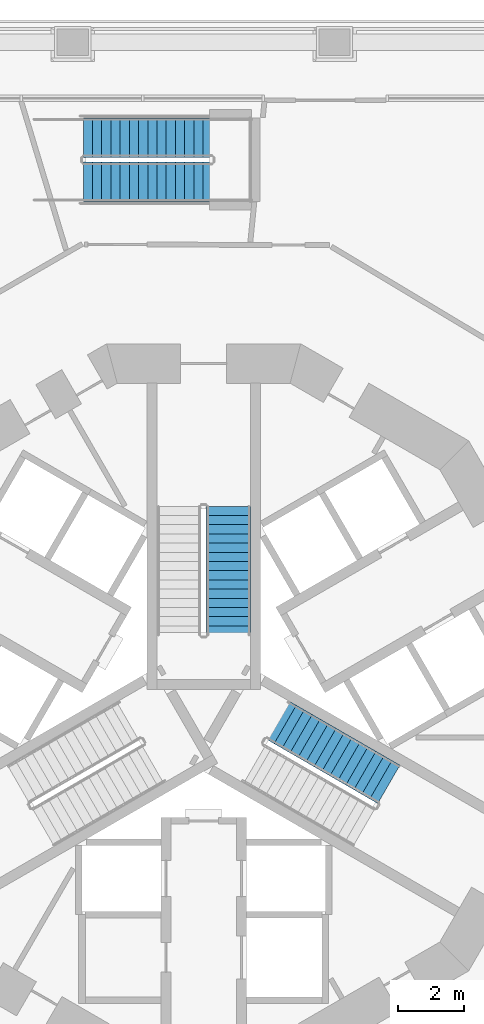
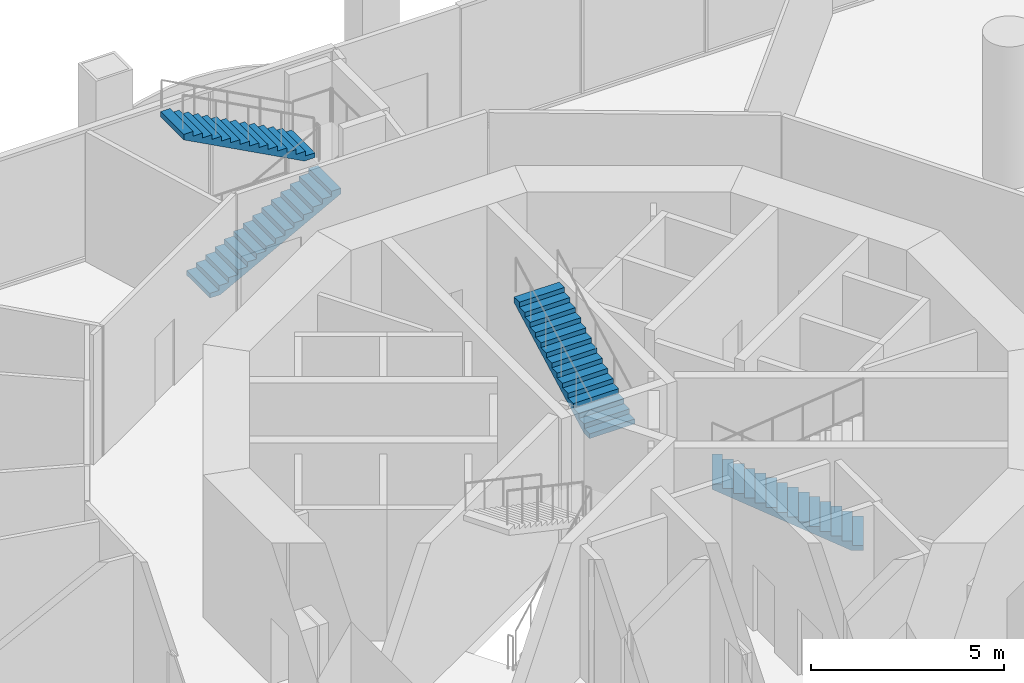
# One storey, part 14 of 22: 4 stair flights, 3 elements without a shape of their own.
"""IFC4 building model written with IfcOpenShell, lengths in metres."""

import ifcopenshell
import ifcopenshell.guid

model = None  # the IFC model being written
_history = None  # IfcOwnerHistory: only IFC2X3 demands one
_inside = {}  # id of a spatial element -> (the spatial element, [elements in it])
_under = {}  # id of a project, library or spatial element -> (it, [spatial elements below it])
_declared = {}  # id of a project -> (the project, [libraries it declares])
_typed = {}  # id of a type object -> (the type object, [elements of that type])
_made_of = {}  # id of a material, layer set ... -> (it, [elements and type objects made of it])


def new_model(schema):
    """Start an empty IFC model of exactly this schema.

    Asked for "IFC4X3", IfcOpenShell would pick the latest addendum, in which some entities
    have other attributes; the version numbers below select the first issue.
    IFC2X3 requires an IfcOwnerHistory on every rooted entity: one is made here for all.
    """
    global model, _history
    if schema == "IFC4X3":
        model = ifcopenshell.file(schema_version=(4, 3, 0, 0))
    else:
        model = ifcopenshell.file(schema=schema)
    _inside.clear()
    _under.clear()
    _declared.clear()
    _typed.clear()
    _made_of.clear()
    _history = None
    if model.schema == "IFC2X3":
        org = make("IfcOrganization", Name="unknown")
        user = make(
            "IfcPersonAndOrganization",
            ThePerson=make("IfcPerson", FamilyName="unknown"),
            TheOrganization=org,
        )
        app = make(
            "IfcApplication",
            ApplicationDeveloper=org,
            Version="unknown",
            ApplicationFullName="unknown",
            ApplicationIdentifier="unknown",
        )
        _history = make(
            "IfcOwnerHistory",
            OwningUser=user,
            OwningApplication=app,
            ChangeAction="ADDED",
            CreationDate=0,
        )
    return model


def make(cls, **values):
    """One entity of the class cls with the attributes given. An attribute that is None is left unset."""
    return model.create_entity(
        cls, **{name: value for name, value in values.items() if value is not None}
    )


def rooted(cls, **values):
    """An entity with a GlobalId (a new one), such as an element, a storey or a relation."""
    return make(cls, GlobalId=ifcopenshell.guid.new(), OwnerHistory=_history, **values)


def si_unit(unit_type, name, prefix=None):
    """IfcSIUnit, for example si_unit("LENGTHUNIT", "METRE", prefix="MILLI")."""
    return make("IfcSIUnit", UnitType=unit_type, Prefix=prefix, Name=name)


def assignment(units):
    """IfcUnitAssignment: the units of a project."""
    return None if units is None else make("IfcUnitAssignment", Units=units)


def point(xyz):
    """IfcCartesianPoint."""
    return None if xyz is None else make("IfcCartesianPoint", Coordinates=xyz)


def direction(xyz):
    """IfcDirection."""
    return None if xyz is None else make("IfcDirection", DirectionRatios=xyz)


def frame(location, z_axis=None, x_axis=None):
    """IfcAxis2Placement3D, a coordinate frame: its origin and axes. An axis left out is left unset."""
    return make(
        "IfcAxis2Placement3D",
        Location=point(location),
        Axis=direction(z_axis),
        RefDirection=direction(x_axis),
    )


def origin():
    """The frame at (0, 0, 0) with its axes left unset."""
    return frame((0.0, 0.0, 0.0))


def place(relative_to, where):
    """IfcLocalPlacement: puts the frame where relative to a parent placement (None: the world)."""
    return make(
        "IfcLocalPlacement", PlacementRelTo=relative_to, RelativePlacement=where
    )


def context(
    kind, dimensions, precision=None, world=None, true_north=None, identifier=None
):
    """IfcGeometricRepresentationContext, for example the 3D "Model" context."""
    return make(
        "IfcGeometricRepresentationContext",
        ContextIdentifier=identifier,
        ContextType=kind,
        CoordinateSpaceDimension=dimensions,
        Precision=precision,
        WorldCoordinateSystem=world,
        TrueNorth=true_north,
    )


def subcontext(parent, identifier, kind, view, scale=None):
    """IfcGeometricRepresentationSubContext, for example "Body" below "Model"."""
    return make(
        "IfcGeometricRepresentationSubContext",
        ContextIdentifier=identifier,
        ContextType=kind,
        ParentContext=parent,
        TargetScale=scale,
        TargetView=view,
    )


def project(units=None, contexts=None):
    """IfcProject with its units and contexts."""
    return rooted(
        "IfcProject",
        Name="project",
        RepresentationContexts=contexts,
        UnitsInContext=assignment(units),
    )


def spatial(cls, under=None, at=None, **own):
    """A site, building, storey or space (cls), placed at a placement, below another one or the project."""
    s = rooted(cls, ObjectPlacement=at, **own)
    if under is not None:
        _under.setdefault(under.id(), (under, []))[1].append(s)
    return s


def polyline(points):
    """IfcPolyline through the points."""
    return make("IfcPolyline", Points=[point(p) for p in points])


def outline(outer, holes=None, kind="AREA"):
    """IfcArbitraryClosedProfileDef: a profile drawn as a closed curve; with holes, ...WithVoids."""
    if holes is None:
        return make("IfcArbitraryClosedProfileDef", ProfileType=kind, OuterCurve=outer)
    return make(
        "IfcArbitraryProfileDefWithVoids",
        ProfileType=kind,
        OuterCurve=outer,
        InnerCurves=holes,
    )


def extrude(swept, where, along, depth):
    """IfcExtrudedAreaSolid: the profile swept, set in the frame where, extruded along a direction by depth."""
    return make(
        "IfcExtrudedAreaSolid",
        SweptArea=swept,
        Position=where,
        ExtrudedDirection=direction(along),
        Depth=depth,
    )


def shape(context_of_items, identifier, shape_type, items):
    """IfcShapeRepresentation: the items that make up one representation, for example the "Body"."""
    return make(
        "IfcShapeRepresentation",
        ContextOfItems=context_of_items,
        RepresentationIdentifier=identifier,
        RepresentationType=shape_type,
        Items=items,
    )


def material(Name=None, Category=None):
    """IfcMaterial."""
    return make("IfcMaterial", Name=Name, Category=Category)


def made_of(thing, what):
    """Note that an element or type object is made of a material, layer set ...; save() writes the relation."""
    if what is not None:
        _made_of.setdefault(what.id(), (what, []))[1].append(thing)
    return thing


def type_object(cls, material=None, **own):
    """A type object (cls), such as IfcWallType, which elements share."""
    return made_of(rooted(cls, **own), material)


def element(
    cls,
    number,
    at=None,
    inside=None,
    cuts=None,
    type_object=None,
    material=None,
    context=None,
    identifier="Body",
    shape_type=None,
    held_by="IfcProductDefinitionShape",
    body=None,
    shapes=None,
    **own,
):
    """One element of the class cls, such as IfcWall. Its Tag is "e" and its number.

    at: its placement. inside: the storey or other place that contains it. cuts: it is an
    opening in that element (IfcRelVoidsElement). A single representation is given by context,
    identifier, shape_type and body (its items); several are given by shapes. held_by: the class
    of the entity that holds the representations. save() writes the other relations.
    """
    e = rooted(cls, Tag="e%d" % number, ObjectPlacement=at, **own)
    if body is not None:
        shapes = [shape(context, identifier, shape_type, body)]
    if shapes is not None:
        e.Representation = make(held_by, Representations=shapes)
    if inside is not None:
        _inside.setdefault(inside.id(), (inside, []))[1].append(e)
    if cuts is not None:
        rooted(
            "IfcRelVoidsElement", RelatingBuildingElement=cuts, RelatedOpeningElement=e
        )
    if type_object is not None:
        _typed.setdefault(type_object.id(), (type_object, []))[1].append(e)
    return made_of(e, material)


def aggregate(whole, parts):
    """IfcRelAggregates: a whole, such as a stair, and the parts it consists of."""
    return rooted("IfcRelAggregates", RelatingObject=whole, RelatedObjects=parts)


def save(model, path):
    """Write the relations noted so far, then the file.

    IfcRelAggregates (storeys below a building ...), IfcRelContainedInSpatialStructure (elements
    in a storey), IfcRelDefinesByType, IfcRelAssociatesMaterial and IfcRelDeclares: one each for
    every whole, place, type object, material and project.
    """
    for whole, parts in _under.values():
        aggregate(whole, parts)
    for where, things in _inside.values():
        rooted(
            "IfcRelContainedInSpatialStructure",
            RelatedElements=things,
            RelatingStructure=where,
        )
    for kind, things in _typed.values():
        rooted("IfcRelDefinesByType", RelatedObjects=things, RelatingType=kind)
    for what, things in _made_of.values():
        rooted("IfcRelAssociatesMaterial", RelatedObjects=things, RelatingMaterial=what)
    for by, libraries in _declared.values():
        rooted("IfcRelDeclares", RelatingContext=by, RelatedDefinitions=libraries)
    model.write(path)


model = new_model("IFC4")

# Units and contexts
model_context = context("Model", 3, precision=1e-05, world=origin(), true_north=direction((0.0, 1.0)))
body_context = subcontext(model_context, "Body", "Model", "MODEL_VIEW")
ifc_project = project(units=[si_unit("LENGTHUNIT", "METRE"), si_unit("AREAUNIT", "SQUARE_METRE"), si_unit("VOLUMEUNIT", "CUBIC_METRE"), si_unit("PLANEANGLEUNIT", "RADIAN"), si_unit("MASSUNIT", "GRAM", prefix="KILO")], contexts=[model_context])

# Site, building, storey
site_placement = place(None, origin())
site = spatial("IfcSite", under=ifc_project, at=site_placement, CompositionType="ELEMENT")
building_placement = place(site_placement, origin())
building = spatial("IfcBuilding", under=site, at=building_placement, Name="Trine Commons Tower", CompositionType="ELEMENT")
storey_placement = place(building_placement, frame((0.0, 0.0, 22.5)))
storey = spatial("IfcBuildingStorey", under=building, at=storey_placement, Name="L04", CompositionType="ELEMENT", Elevation=22.5)

# Stair, stair flights
ifc_material_1 = material(Name="Concrete C40/50", Category="concrete")
stair_type_1 = type_object("IfcStairType", Name="Podium stair, dog-leg 1200 mm, C40/50", PredefinedType="HALF_TURN_STAIR", material=ifc_material_1)
stair_1_placement = place(storey_placement, origin())
stair_1 = element("IfcStair", 1, at=stair_1_placement, inside=storey, type_object=stair_type_1, Name="L04 Podium stair", PredefinedType="HALF_TURN_STAIR")
stair_flight_type_1 = type_object("IfcStairFlightType", Name="Podium stair flight 1200 mm, C40/50", PredefinedType="STRAIGHT", material=ifc_material_1)
stair_flight_1_placement = place(storey_placement, frame((76.340087890625, 78.43505859375, 0.0), z_axis=(0.0, 0.0, 1.0), x_axis=(1.0, 0.0, 0.0)))
stair_flight_1 = element("IfcStairFlight", 2, at=stair_flight_1_placement, type_object=stair_flight_type_1, Name="PS1 flight 1", NumberOfRisers=15, NumberOfTreads=14, PredefinedType="STRAIGHT", RiserHeight=0.15, TreadLength=0.28, context=body_context, shape_type="SweptSolid", body=[
    extrude(outline(polyline([(0.0, 0.0), (0.0, 0.14990234375), (0.280029296875, 0.14990234375), (0.280029296875, 0.300048828125), (0.56005859375, 0.300048828125), (0.56005859375, 0.449951171875), (0.840087890625, 0.449951171875), (0.840087890625, 0.60009765625), (1.1201171875, 0.60009765625), (1.1201171875, 0.75), (1.39990234375, 0.75), (1.39990234375, 0.89990234375), (1.679931640625, 0.89990234375), (1.679931640625, 1.050048828125), (1.9599609375, 1.050048828125), (1.9599609375, 1.199951171875), (2.239990234375, 1.199951171875), (2.239990234375, 1.35009765625), (2.52001953125, 1.35009765625), (2.52001953125, 1.5), (2.800048828125, 1.5), (2.800048828125, 1.64990234375), (3.080078125, 1.64990234375), (3.080078125, 1.800048828125), (3.360107421875, 1.800048828125), (3.360107421875, 1.949951171875), (3.639892578125, 1.949951171875), (3.639892578125, 2.10009765625), (3.919921875, 2.10009765625), (3.919921875, 2.25), (3.919921875, 1.929931640625), (0.3173828125, 0.0), (0.0, 0.0)])), frame((0.0, 0.60009765625, 0.0), z_axis=(0.0, -1.0, 0.0), x_axis=(1.0, 0.0, 0.0)), (0.0, 0.0, 1.0), 1.199951171875),
])
stair_flight_2_placement = place(storey_placement, frame((80.260009765625, 79.784912109375, 2.25), z_axis=(0.0, 0.0, 1.0), x_axis=(-1.0, 0.0, 0.0)))
stair_flight_2 = element("IfcStairFlight", 3, at=stair_flight_2_placement, type_object=stair_flight_type_1, Name="PS1 flight 2", NumberOfRisers=15, NumberOfTreads=14, PredefinedType="STRAIGHT", RiserHeight=0.15, TreadLength=0.28, context=body_context, shape_type="SweptSolid", body=[
    extrude(outline(polyline([(0.0, 0.0), (0.0, 0.14990234375), (0.280029296875, 0.14990234375), (0.280029296875, 0.300048828125), (0.56005859375, 0.300048828125), (0.56005859375, 0.449951171875), (0.840087890625, 0.449951171875), (0.840087890625, 0.60009765625), (1.1201171875, 0.60009765625), (1.1201171875, 0.75), (1.39990234375, 0.75), (1.39990234375, 0.89990234375), (1.679931640625, 0.89990234375), (1.679931640625, 1.050048828125), (1.9599609375, 1.050048828125), (1.9599609375, 1.199951171875), (2.239990234375, 1.199951171875), (2.239990234375, 1.35009765625), (2.52001953125, 1.35009765625), (2.52001953125, 1.5), (2.800048828125, 1.5), (2.800048828125, 1.64990234375), (3.080078125, 1.64990234375), (3.080078125, 1.800048828125), (3.360107421875, 1.800048828125), (3.360107421875, 1.949951171875), (3.639892578125, 1.949951171875), (3.639892578125, 2.10009765625), (3.919921875, 2.10009765625), (3.919921875, 2.25), (3.919921875, 1.929931640625), (0.3173828125, 0.0), (0.0, 0.0)])), frame((0.0, 0.60009765625, 0.0), z_axis=(0.0, -1.0, 0.0), x_axis=(1.0, 0.0, 0.0)), (0.0, 0.0, 1.0), 1.199951171875),
])
aggregate(stair_1, [stair_flight_1, stair_flight_2])

# Stair, stair flight
ifc_material_2 = material(Name="Concrete C50/60", Category="concrete")
stair_type_2 = type_object("IfcStairType", Name="Exit stair, dog-leg, 30 risers of 150 mm", PredefinedType="HALF_TURN_STAIR", material=ifc_material_2)
stair_2_placement = place(storey_placement, origin())
stair_2 = element("IfcStair", 4, at=stair_2_placement, inside=storey, type_object=stair_type_2, Name="L04 Exit stair ST1A", PredefinedType="HALF_TURN_STAIR")
stair_flight_type_2 = type_object("IfcStairFlightType", Name="Stair flight, 1350 wide, 15 risers of 150 mm", PredefinedType="STRAIGHT", material=ifc_material_2)
stair_flight_3_placement = place(storey_placement, frame((80.75, 64.650634765625, 2.25), z_axis=(0.0, 0.0, 1.0), x_axis=(0.0, 1.0, 0.0)))
stair_flight_3 = element("IfcStairFlight", 5, at=stair_flight_3_placement, type_object=stair_flight_type_2, Name="ST1A flight 2", NumberOfRisers=15, NumberOfTreads=14, PredefinedType="STRAIGHT", RiserHeight=0.15, TreadLength=0.28, context=body_context, shape_type="SweptSolid", body=[
    extrude(outline(polyline([(0.0, 0.0), (0.0, 0.14990234375), (0.280029296875, 0.14990234375), (0.280029296875, 0.300048828125), (0.56005859375, 0.300048828125), (0.56005859375, 0.449951171875), (0.840087890625, 0.449951171875), (0.840087890625, 0.60009765625), (1.1201171875, 0.60009765625), (1.1201171875, 0.75), (1.39990234375, 0.75), (1.39990234375, 0.89990234375), (1.679931640625, 0.89990234375), (1.679931640625, 1.050048828125), (1.9599609375, 1.050048828125), (1.9599609375, 1.199951171875), (2.239990234375, 1.199951171875), (2.239990234375, 1.35009765625), (2.52001953125, 1.35009765625), (2.52001953125, 1.5), (2.800048828125, 1.5), (2.800048828125, 1.64990234375), (3.080078125, 1.64990234375), (3.080078125, 1.800048828125), (3.360107421875, 1.800048828125), (3.360107421875, 1.949951171875), (3.639892578125, 1.949951171875), (3.639892578125, 2.10009765625), (3.919921875, 2.10009765625), (3.919921875, 2.25), (3.919921875, 1.929931640625), (0.3173828125, 0.0), (0.0, 0.0)])), frame((0.0, 0.675048828125, 0.0), z_axis=(0.0, -1.0, 0.0), x_axis=(1.0, 0.0, 0.0)), (0.0, 0.0, 1.0), 1.35009765625),
])
aggregate(stair_2, [stair_flight_3])

stair_3_placement = place(storey_placement, origin())
stair_3 = element("IfcStair", 6, at=stair_3_placement, inside=storey, type_object=stair_type_2, Name="L04 Exit stair ST3A", PredefinedType="HALF_TURN_STAIR")
stair_flight_4_placement = place(storey_placement, frame((85.63232421875, 60.1142578125, 0.0), z_axis=(0.0, 0.0, 1.0), x_axis=(-0.866025403784, 0.5, 0.0)))
stair_flight_4 = element("IfcStairFlight", 7, at=stair_flight_4_placement, type_object=stair_flight_type_2, Name="ST3A flight 1", NumberOfRisers=15, NumberOfTreads=14, PredefinedType="STRAIGHT", RiserHeight=0.15, TreadLength=0.28, context=body_context, shape_type="SweptSolid", body=[
    extrude(outline(polyline([(0.0, 0.0), (0.0, 0.14990234375), (0.280029296875, 0.14990234375), (0.280029296875, 0.300048828125), (0.56005859375, 0.300048828125), (0.56005859375, 0.449951171875), (0.840087890625, 0.449951171875), (0.840087890625, 0.60009765625), (1.1201171875, 0.60009765625), (1.1201171875, 0.75), (1.39990234375, 0.75), (1.39990234375, 0.89990234375), (1.679931640625, 0.89990234375), (1.679931640625, 1.050048828125), (1.9599609375, 1.050048828125), (1.9599609375, 1.199951171875), (2.239990234375, 1.199951171875), (2.239990234375, 1.35009765625), (2.52001953125, 1.35009765625), (2.52001953125, 1.5), (2.800048828125, 1.5), (2.800048828125, 1.64990234375), (3.080078125, 1.64990234375), (3.080078125, 1.800048828125), (3.360107421875, 1.800048828125), (3.360107421875, 1.949951171875), (3.639892578125, 1.949951171875), (3.639892578125, 2.10009765625), (3.919921875, 2.10009765625), (3.919921875, 2.25), (3.919921875, 1.929931640625), (0.3173828125, 0.0), (0.0, 0.0)])), frame((0.0, 0.675048828125, 0.0), z_axis=(0.0, -1.0, 0.0), x_axis=(1.0, 0.0, 0.0)), (0.0, 0.0, 1.0), 1.35009765625),
])
aggregate(stair_3, [stair_flight_4])

save(model, "model.ifc")
